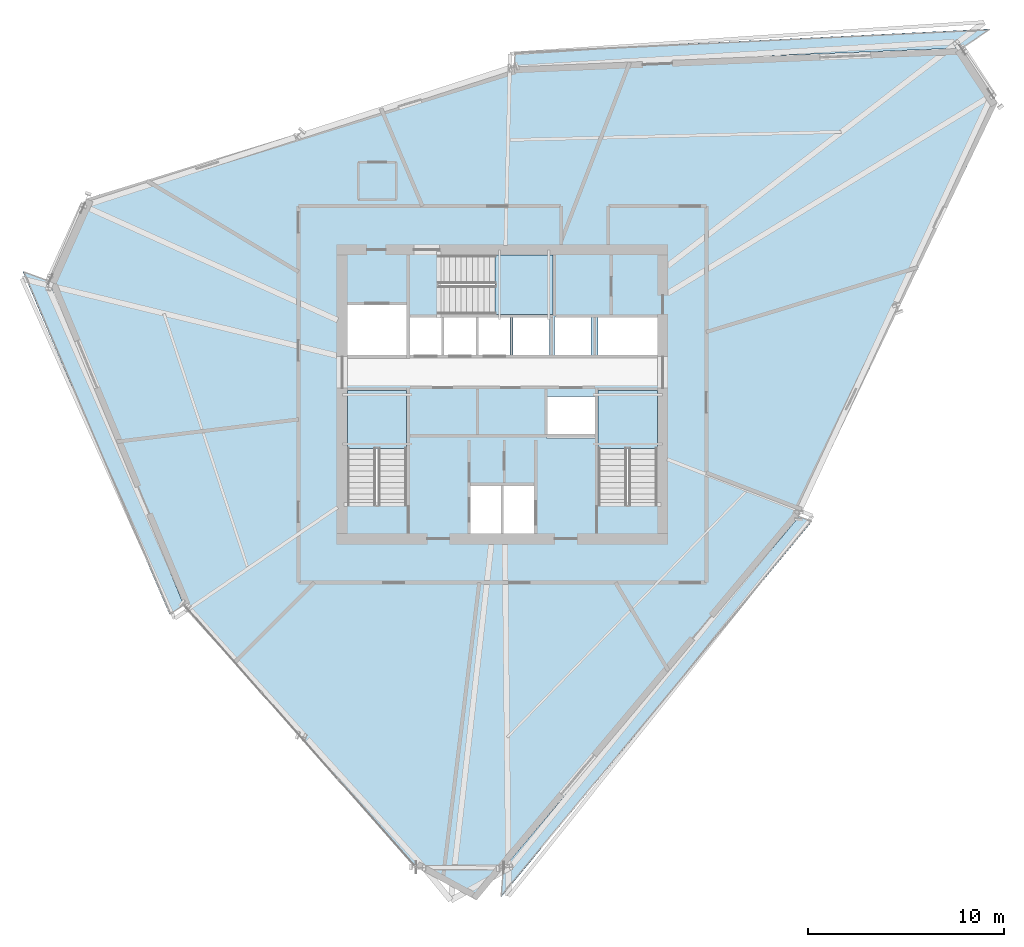
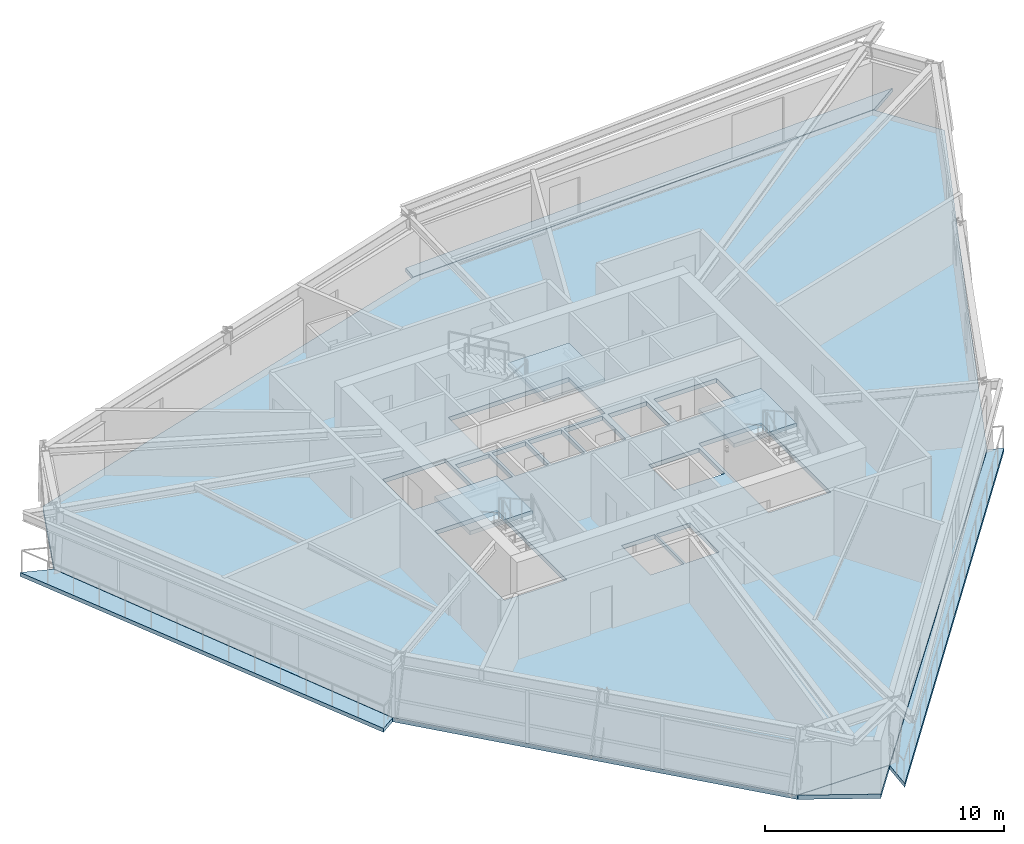
# One storey, part 5 of 13: 8 slabs, 3 elements without a shape of their own.
"""IFC4 building model written with IfcOpenShell, lengths in metres."""

from ifc_helpers import new_model, si_unit, direction, frame, origin, place, context, subcontext, project, spatial, polyline, outline, extrude, material, layer, layer_set, type_object, element, aggregate, save


model = new_model("IFC4")

# Units and contexts
model_context = context("Model", 3, precision=1e-05, world=origin(), true_north=direction((0.0, 1.0)))
body_context = subcontext(model_context, "Body", "Model", "MODEL_VIEW")
ifc_project = project(units=[si_unit("LENGTHUNIT", "METRE"), si_unit("AREAUNIT", "SQUARE_METRE"), si_unit("VOLUMEUNIT", "CUBIC_METRE"), si_unit("PLANEANGLEUNIT", "RADIAN"), si_unit("MASSUNIT", "GRAM", prefix="KILO")], contexts=[model_context])

# Site, building, storey
site_placement = place(None, origin())
site = spatial("IfcSite", under=ifc_project, at=site_placement, CompositionType="ELEMENT")
building_placement = place(site_placement, origin())
building = spatial("IfcBuilding", under=site, at=building_placement, Name="Olszyna Solenne Hotel", CompositionType="ELEMENT")
storey_placement = place(building_placement, frame((0.0, 0.0, 171.449951171875)))
storey = spatial("IfcBuildingStorey", under=building, at=storey_placement, Name="L45", CompositionType="ELEMENT", Elevation=171.449951171875)

# Stair, slab
ifc_material_1 = material(Name="Concrete C40/50", Category="concrete")
stair_type = type_object("IfcStairType", Name="STR-C1", PredefinedType="TWO_QUARTER_WINDING_STAIR", material=ifc_material_1)
stair_1_placement = place(storey_placement, origin())
stair_1 = element("IfcStair", 1, at=stair_1_placement, inside=storey, type_object=stair_type, Name="L45 ST1", PredefinedType="TWO_QUARTER_WINDING_STAIR")
ifc_layer_1 = layer(ifc_material_1, 0.18994140625, Name="Concrete C40/50")
ifc_layer_set_1 = layer_set([ifc_layer_1], Name="Concrete C40/50")
slab_type_1 = type_object("IfcSlabType", Name="SL-LN190", PredefinedType="LANDING", material=ifc_layer_set_1)
slab_1_placement = place(storey_placement, frame((0.0, 0.0, 1.574951171875)))
slab_1 = element("IfcSlab", 2, at=slab_1_placement, type_object=slab_type_1, Name="ST1 landing 1", PredefinedType="LANDING", context=body_context, shape_type="SweptSolid", body=[
    extrude(outline(polyline([(33.1201171875, 23.85009765625), (33.1201171875, 26.800048828125), (30.10009765625, 26.800048828125), (30.10009765625, 23.85009765625), (33.1201171875, 23.85009765625)])), origin(), (0.0, 0.0, 1.0), 0.2001953125),
])
aggregate(stair_1, [slab_1])

stair_2_placement = place(storey_placement, origin())
stair_2 = element("IfcStair", 3, at=stair_2_placement, inside=storey, type_object=stair_type, Name="L45 ST2", PredefinedType="TWO_QUARTER_WINDING_STAIR")
slab_2_placement = place(storey_placement, frame((0.0, 0.0, 1.574951171875)))
slab_2 = element("IfcSlab", 4, at=slab_2_placement, type_object=slab_type_1, Name="ST2 landing 1", PredefinedType="LANDING", context=body_context, shape_type="SweptSolid", body=[
    extrude(outline(polyline([(45.89990234375, 23.85009765625), (45.89990234375, 26.800048828125), (42.8798828125, 26.800048828125), (42.8798828125, 23.85009765625), (45.89990234375, 23.85009765625)])), origin(), (0.0, 0.0, 1.0), 0.2001953125),
])
aggregate(stair_2, [slab_2])

stair_3_placement = place(storey_placement, origin())
stair_3 = element("IfcStair", 5, at=stair_3_placement, inside=storey, type_object=stair_type, Name="L45 ST3", PredefinedType="TWO_QUARTER_WINDING_STAIR")
slab_3_placement = place(storey_placement, frame((0.0, 0.0, 1.574951171875)))
slab_3 = element("IfcSlab", 6, at=slab_3_placement, type_object=slab_type_1, Name="ST3 landing 1", PredefinedType="LANDING", context=body_context, shape_type="SweptSolid", body=[
    extrude(outline(polyline([(37.6298828125, 30.679931640625), (40.580078125, 30.679931640625), (40.580078125, 33.699951171875), (37.6298828125, 33.699951171875), (37.6298828125, 30.679931640625)])), origin(), (0.0, 0.0, 1.0), 0.2001953125),
])
aggregate(stair_3, [slab_3])

# Slabs
ifc_material_2 = material(Name="Precast concrete C45/55", Category="concrete")
ifc_layer_2 = layer(ifc_material_2, 0.199951171875, Name="Precast concrete C45/55")
ifc_layer_set_2 = layer_set([ifc_layer_2], Name="Precast concrete C45/55")
slab_type_2 = type_object("IfcSlabType", Name="SL-LOG200", PredefinedType="FLOOR", material=ifc_layer_set_2)
slab_4_placement = place(storey_placement, frame((0.0, 0.0, -0.199951171875)))
element("IfcSlab", 7, at=slab_4_placement, inside=storey, type_object=slab_type_2, Name="Exterior loggia balcony slab SL-L45-LG1", PredefinedType="FLOOR", context=body_context, shape_type="SweptSolid", body=[
    extrude(outline(polyline([(38.601318359375, 43.32080078125), (61.4130859375, 44.26513671875), (61.41455078125, 44.26513671875), (61.416015625, 44.264892578125), (61.41748046875, 44.2646484375), (61.4189453125, 44.26416015625), (61.42041015625, 44.263671875), (61.421875, 44.2626953125), (61.423095703125, 44.261962890625), (61.42431640625, 44.260986328125), (61.42529296875, 44.259765625), (61.426025390625, 44.258544921875), (62.89501953125, 45.239013671875), (38.6591796875, 44.050048828125), (38.601318359375, 43.32080078125)])), origin(), (0.0, 0.0, 1.0), 0.199951171875),
])
slab_5_placement = place(storey_placement, frame((0.0, 0.0, -0.199951171875)))
element("IfcSlab", 8, at=slab_5_placement, inside=storey, type_object=slab_type_2, Name="Exterior loggia balcony slab SL-L45-LG2", PredefinedType="FLOOR", context=body_context, shape_type="SweptSolid", body=[
    extrude(outline(polyline([(21.7529296875, 15.858642578125), (21.75244140625, 15.85986328125), (21.751708984375, 15.861083984375), (14.883056640625, 32.3603515625), (14.88232421875, 32.36181640625), (14.882080078125, 32.36328125), (14.8818359375, 32.364990234375), (14.8818359375, 32.366455078125), (14.8818359375, 32.367919921875), (14.882080078125, 32.369384765625), (14.882568359375, 32.370849609375), (14.8828125, 32.371337890625), (13.53369140625, 32.865966796875), (21.02490234375, 15.37255859375), (21.7529296875, 15.858642578125)])), origin(), (0.0, 0.0, 1.0), 0.199951171875),
])
slab_6_placement = place(storey_placement, frame((0.0, 0.0, -0.199951171875)))
element("IfcSlab", 9, at=slab_6_placement, inside=storey, type_object=slab_type_2, Name="Exterior loggia balcony slab SL-L45-LG3", PredefinedType="FLOOR", context=body_context, shape_type="SweptSolid", body=[
    extrude(outline(polyline([(53.12939453125, 20.364990234375), (53.12890625, 20.36376953125), (53.12841796875, 20.362548828125), (53.127685546875, 20.361572265625), (53.126953125, 20.360595703125), (38.063720703125, 2.44140625), (38.05029296875, 2.425048828125), (37.93408203125, 0.96240234375), (53.797119140625, 20.120361328125), (53.12939453125, 20.364990234375)])), origin(), (0.0, 0.0, 1.0), 0.199951171875),
])
ifc_material_3 = material(Name="Concrete C50/60", Category="concrete")
ifc_layer_3 = layer(ifc_material_3, 0.219970703125, Name="Concrete C50/60")
ifc_layer_set_3 = layer_set([ifc_layer_3], Name="Concrete C50/60")
slab_type_3 = type_object("IfcSlabType", Name="SL-TW225", PredefinedType="FLOOR", material=ifc_layer_set_3)
slab_7_placement = place(storey_placement, frame((0.0, 0.0, -0.219970703125)))
element("IfcSlab", 10, at=slab_7_placement, inside=storey, type_object=slab_type_3, Name="Floor slab SL-TW225 SL-L45-01", PredefinedType="FLOOR", context=body_context, shape_type="SweptSolid", body=[
    extrude(outline(polyline([(63.248779296875, 41.47265625), (61.41357421875, 44.250244140625), (38.60009765625, 43.305908203125), (16.780517578125, 36.578125), (14.896728515625, 32.3662109375), (21.765380859375, 15.866943359375), (33.60791015625, 2.48193359375), (38.05224609375, 2.450927734375), (53.115478515625, 20.3701171875), (63.248779296875, 41.47265625)]), holes=[polyline([(30.10009765625, 20.949951171875), (33.1201171875, 20.949951171875), (33.1201171875, 26.800048828125), (30.10009765625, 26.800048828125), (30.10009765625, 20.949951171875)]), polyline([(42.8798828125, 20.949951171875), (45.89990234375, 20.949951171875), (45.89990234375, 26.800048828125), (42.8798828125, 26.800048828125), (42.8798828125, 20.949951171875)]), polyline([(34.72998046875, 30.679931640625), (40.580078125, 30.679931640625), (40.580078125, 33.699951171875), (34.72998046875, 33.699951171875), (34.72998046875, 30.679931640625)]), polyline([(36.340087890625, 19.5), (37.9599609375, 19.5), (37.9599609375, 21.9599609375), (36.340087890625, 21.9599609375), (36.340087890625, 19.5)]), polyline([(38.0400390625, 19.5), (39.659912109375, 19.5), (39.659912109375, 21.9599609375), (38.0400390625, 21.9599609375), (38.0400390625, 19.5)]), polyline([(30.10009765625, 28.60009765625), (33.1201171875, 28.60009765625), (33.1201171875, 31.159912109375), (30.10009765625, 31.159912109375), (30.10009765625, 28.60009765625)]), polyline([(40.280029296875, 24.360107421875), (42.719970703125, 24.360107421875), (42.719970703125, 26.5), (40.280029296875, 26.5), (40.280029296875, 24.360107421875)]), polyline([(33.280029296875, 28.60009765625), (34.89990234375, 28.60009765625), (34.89990234375, 30.550048828125), (33.280029296875, 30.550048828125), (33.280029296875, 28.60009765625)]), polyline([(35.030029296875, 28.60009765625), (36.64990234375, 28.60009765625), (36.64990234375, 30.550048828125), (35.030029296875, 30.550048828125), (35.030029296875, 28.60009765625)]), polyline([(36.780029296875, 28.60009765625), (38.39990234375, 28.60009765625), (38.39990234375, 30.550048828125), (36.780029296875, 30.550048828125), (36.780029296875, 28.60009765625)]), polyline([(38.530029296875, 28.60009765625), (40.389892578125, 28.60009765625), (40.389892578125, 30.550048828125), (38.530029296875, 30.550048828125), (38.530029296875, 28.60009765625)]), polyline([(40.659912109375, 28.60009765625), (42.52001953125, 28.60009765625), (42.52001953125, 30.550048828125), (40.659912109375, 30.550048828125), (40.659912109375, 28.60009765625)]), polyline([(42.8798828125, 28.60009765625), (45.89990234375, 28.60009765625), (45.89990234375, 30.550048828125), (42.8798828125, 30.550048828125), (42.8798828125, 28.60009765625)])]), origin(), (0.0, 0.0, 1.0), 0.219970703125),
])
slab_8_placement = place(storey_placement, frame((0.0, 0.0, -0.219970703125)))
element("IfcSlab", 11, at=slab_8_placement, inside=storey, type_object=slab_type_3, Name="Faceted glass-prism floor slab SL-L45-PR", PredefinedType="FLOOR", context=body_context, shape_type="SweptSolid", body=[
    extrude(outline(polyline([(38.0439453125, 2.44091796875), (33.62646484375, 2.4716796875), (36.6796875, 0.800048828125), (38.0439453125, 2.44091796875)])), origin(), (0.0, 0.0, 1.0), 0.219970703125),
])

save(model, "model.ifc")
